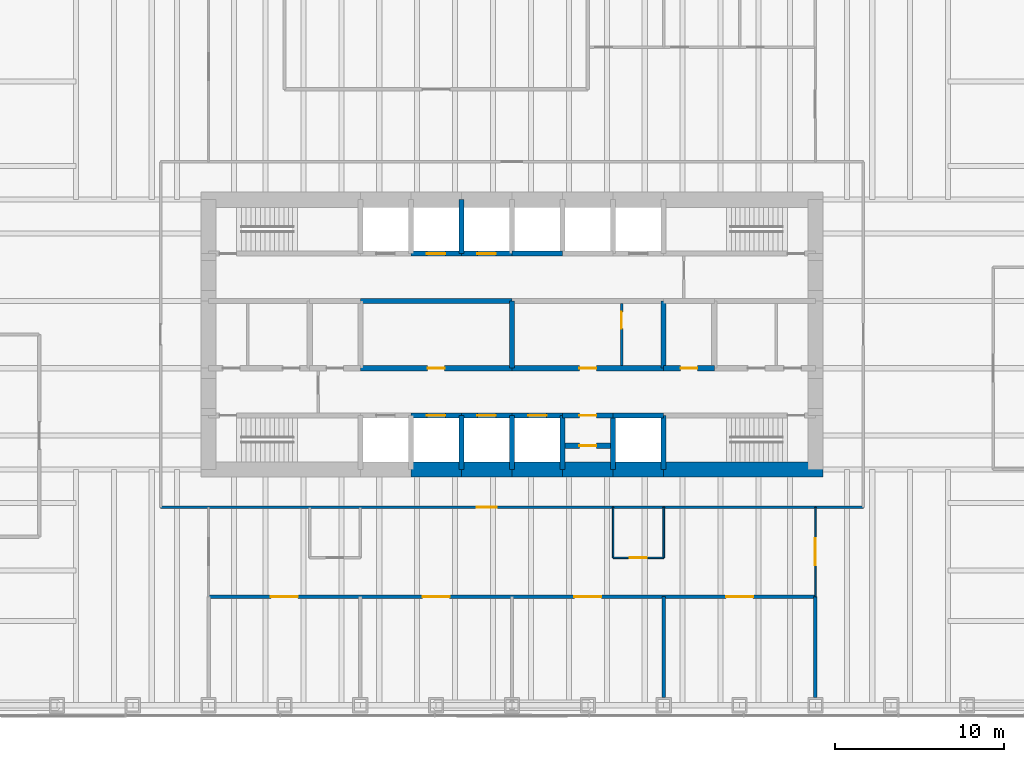
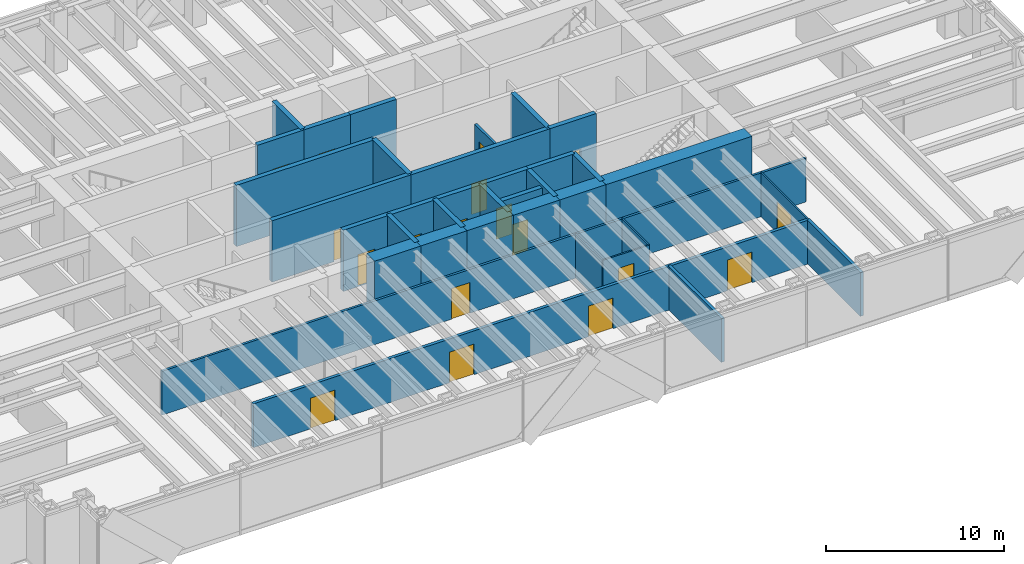
# One storey, part 12 of 15: 36 walls, 18 doors, 18 openings.
"""IFC4 building model written with IfcOpenShell, lengths in metres."""

from ifc_helpers import new_model, si_unit, direction, frame, frame_2d, origin, place, context, subcontext, project, spatial, rectangle, extrude, material, layer, layer_set, type_object, element, fill, save


model = new_model("IFC4")

# Units and contexts
model_context = context("Model", 3, precision=1e-05, world=origin(), true_north=direction((0.0, 1.0)))
body_context = subcontext(model_context, "Body", "Model", "MODEL_VIEW")
ifc_project = project(units=[si_unit("LENGTHUNIT", "METRE"), si_unit("AREAUNIT", "SQUARE_METRE"), si_unit("VOLUMEUNIT", "CUBIC_METRE"), si_unit("PLANEANGLEUNIT", "RADIAN"), si_unit("MASSUNIT", "GRAM", prefix="KILO")], contexts=[model_context])

# Site, building, storey
site_placement = place(None, origin())
site = spatial("IfcSite", under=ifc_project, at=site_placement, CompositionType="ELEMENT")
building_placement = place(site_placement, origin())
building = spatial("IfcBuilding", under=site, at=building_placement, Name="Rheinbord Bourse Tower", CompositionType="ELEMENT")
storey_placement = place(building_placement, frame((0.0, 0.0, 150.89990234375)))
storey = spatial("IfcBuildingStorey", under=building, at=storey_placement, Name="L33", CompositionType="ELEMENT", Elevation=150.89990234375)

# Wall, openings, doors
ifc_material_1 = material(Name="Acoustic gypsum board partition", Category="gypsum board")
ifc_layer_1 = layer(ifc_material_1, 0.199951171875)
ifc_layer_set_1 = layer_set([ifc_layer_1], Name="ACOUSTIC PARTITION 200")
wall_type_1 = type_object("IfcWallType", Name="ACOUSTIC PARTITION 200", PredefinedType="PARTITIONING", material=ifc_layer_set_1)
wall_1_placement = place(storey_placement, frame((18.0, 8.449951171875, 0.0), z_axis=(0.0, 0.0, 1.0), x_axis=(1.0, 0.0, 0.0)))
wall_1 = element("IfcWall", 1, at=wall_1_placement, inside=storey, type_object=wall_type_1, Name="Partition L33-01", PredefinedType="PARTITIONING", context=body_context, shape_type="SweptSolid", body=[
    extrude(rectangle(XDim=36.0, YDim=0.199951171875, at=frame_2d((18.0, 0.0))), origin(), (0.0, 0.0, 1.0), 3.0),
])
opening_1_placement = place(wall_1_placement, frame((3.699951171875, 0.0, 0.0)))
opening_1 = element("IfcOpeningElement", 2, at=opening_1_placement, cuts=wall_1, Name="Opening 33D01", PredefinedType="OPENING", context=body_context, shape_type="SweptSolid", body=[
    extrude(rectangle(XDim=1.60009765625, YDim=2.10009765625, at=frame_2d((0.800048828125, 1.050048828125))), frame((0.0, 0.10986328125, 0.0), z_axis=(0.0, -1.0, 0.0), x_axis=(1.0, 0.0, 0.0)), (0.0, 0.0, 1.0), 0.219970703125),
])
opening_2_placement = place(wall_1_placement, frame((12.699951171875, 0.0, 0.0)))
opening_2 = element("IfcOpeningElement", 3, at=opening_2_placement, cuts=wall_1, Name="Opening 33D02", PredefinedType="OPENING", context=body_context, shape_type="SweptSolid", body=[
    extrude(rectangle(XDim=1.60009765625, YDim=2.10009765625, at=frame_2d((0.800048828125, 1.050048828125))), frame((0.0, 0.10986328125, 0.0), z_axis=(0.0, -1.0, 0.0), x_axis=(1.0, 0.0, 0.0)), (0.0, 0.0, 1.0), 0.219970703125),
])
opening_3_placement = place(wall_1_placement, frame((21.699951171875, 0.0, 0.0)))
opening_3 = element("IfcOpeningElement", 4, at=opening_3_placement, cuts=wall_1, Name="Opening 33D03", PredefinedType="OPENING", context=body_context, shape_type="SweptSolid", body=[
    extrude(rectangle(XDim=1.60009765625, YDim=2.10009765625, at=frame_2d((0.800048828125, 1.050048828125))), frame((0.0, 0.10986328125, 0.0), z_axis=(0.0, -1.0, 0.0), x_axis=(1.0, 0.0, 0.0)), (0.0, 0.0, 1.0), 0.219970703125),
])
opening_4_placement = place(wall_1_placement, frame((30.699951171875, 0.0, 0.0)))
opening_4 = element("IfcOpeningElement", 5, at=opening_4_placement, cuts=wall_1, Name="Opening 33D04", PredefinedType="OPENING", context=body_context, shape_type="SweptSolid", body=[
    extrude(rectangle(XDim=1.60009765625, YDim=2.10009765625, at=frame_2d((0.800048828125, 1.050048828125))), frame((0.0, 0.10986328125, 0.0), z_axis=(0.0, -1.0, 0.0), x_axis=(1.0, 0.0, 0.0)), (0.0, 0.0, 1.0), 0.219970703125),
])
ifc_material_2 = material(Name="Timber door", Category="wood")
door_type_1 = type_object("IfcDoorType", Name="DOUBLE ROOM DOOR 1600", OperationType="DOUBLE_DOOR_DOUBLE_SWING", PredefinedType="DOOR", material=ifc_material_2)
door_1_placement = place(opening_1_placement, origin())
door_1 = element("IfcDoor", 6, at=door_1_placement, inside=storey, type_object=door_type_1, Name="Seminar room door L33", OperationType="SINGLE_SWING_LEFT", OverallHeight=2.10009765625, OverallWidth=1.60009765625, PredefinedType="DOOR", context=body_context, shape_type="SweptSolid", body=[
    extrude(rectangle(XDim=1.60009765625, YDim=2.10009765625, at=frame_2d((0.800048828125, 1.050048828125))), frame((0.0, 0.02490234375, 0.0), z_axis=(0.0, -1.0, 0.0), x_axis=(1.0, 0.0, 0.0)), (0.0, 0.0, 1.0), 0.050048828125),
])
fill(opening_1, door_1)
door_2_placement = place(opening_2_placement, origin())
door_2 = element("IfcDoor", 7, at=door_2_placement, inside=storey, type_object=door_type_1, Name="Seminar room door L33", OperationType="SINGLE_SWING_LEFT", OverallHeight=2.10009765625, OverallWidth=1.60009765625, PredefinedType="DOOR", context=body_context, shape_type="SweptSolid", body=[
    extrude(rectangle(XDim=1.60009765625, YDim=2.10009765625, at=frame_2d((0.800048828125, 1.050048828125))), frame((0.0, 0.02490234375, 0.0), z_axis=(0.0, -1.0, 0.0), x_axis=(1.0, 0.0, 0.0)), (0.0, 0.0, 1.0), 0.050048828125),
])
fill(opening_2, door_2)
door_3_placement = place(opening_3_placement, origin())
door_3 = element("IfcDoor", 8, at=door_3_placement, inside=storey, type_object=door_type_1, Name="Seminar room door L33", OperationType="SINGLE_SWING_LEFT", OverallHeight=2.10009765625, OverallWidth=1.60009765625, PredefinedType="DOOR", context=body_context, shape_type="SweptSolid", body=[
    extrude(rectangle(XDim=1.60009765625, YDim=2.10009765625, at=frame_2d((0.800048828125, 1.050048828125))), frame((0.0, 0.02490234375, 0.0), z_axis=(0.0, -1.0, 0.0), x_axis=(1.0, 0.0, 0.0)), (0.0, 0.0, 1.0), 0.050048828125),
])
fill(opening_3, door_3)
door_4_placement = place(opening_4_placement, origin())
door_4 = element("IfcDoor", 9, at=door_4_placement, inside=storey, type_object=door_type_1, Name="Seminar room door L33", OperationType="SINGLE_SWING_LEFT", OverallHeight=2.10009765625, OverallWidth=1.60009765625, PredefinedType="DOOR", context=body_context, shape_type="SweptSolid", body=[
    extrude(rectangle(XDim=1.60009765625, YDim=2.10009765625, at=frame_2d((0.800048828125, 1.050048828125))), frame((0.0, 0.02490234375, 0.0), z_axis=(0.0, -1.0, 0.0), x_axis=(1.0, 0.0, 0.0)), (0.0, 0.0, 1.0), 0.050048828125),
])
fill(opening_4, door_4)

# Walls
for number, where, z_axis, x_axis, name in (
    (10, (45.0, 2.449951171875, 0.0), (0.0, 0.0, 1.0), (0.0, 1.0, 0.0), "Partition L33-26"),
    (11, (54.0, 2.449951171875, 0.0), (0.0, 0.0, 1.0), (0.0, 1.0, 0.0), "Partition L33-30"),
):
    element("IfcWall", number, at=place(storey_placement, frame(where, z_axis=z_axis, x_axis=x_axis)), inside=storey, type_object=wall_type_1, Name=name, PredefinedType="PARTITIONING", context=body_context, shape_type="SweptSolid", body=[
        extrude(rectangle(XDim=6.0, YDim=0.199951171875, at=frame_2d((3.0, 0.0))), origin(), (0.0, 0.0, 1.0), 3.0),
    ])

# Wall, opening, door
ifc_material_3 = material(Name="Concrete C50/60", Category="concrete")
ifc_layer_2 = layer(ifc_material_3, 0.300048828125)
ifc_layer_set_2 = layer_set([ifc_layer_2], Name="CORE INNER WALL 300")
wall_type_2 = type_object("IfcWallType", Name="CORE INNER WALL 300", PredefinedType="SOLIDWALL", material=ifc_layer_set_2)
wall_2_placement = place(storey_placement, frame((30.0, 19.199951171875, 0.0), z_axis=(0.0, 0.0, 1.0), x_axis=(1.0, 0.0, 0.0)))
wall_2 = element("IfcWall", 12, at=wall_2_placement, inside=storey, type_object=wall_type_2, Name="Core wall A3 L33", PredefinedType="SOLIDWALL", context=body_context, shape_type="SweptSolid", body=[
    extrude(rectangle(XDim=3.0, YDim=0.300048828125, at=frame_2d((1.5, 0.0))), origin(), (0.0, 0.0, 1.0), 4.2001953125),
])
opening_5_placement = place(wall_2_placement, frame((0.949951171875, 0.0, 0.0)))
opening_5 = element("IfcOpeningElement", 13, at=opening_5_placement, cuts=wall_2, Name="Opening PB1", PredefinedType="OPENING", context=body_context, shape_type="SweptSolid", body=[
    extrude(rectangle(XDim=1.10009765625, YDim=2.199951171875, at=frame_2d((0.550048828125, 1.10009765625))), frame((0.0, 0.159912109375, 0.0), z_axis=(0.0, -1.0, 0.0), x_axis=(1.0, 0.0, 0.0)), (0.0, 0.0, 1.0), 0.320068359375),
])
ifc_material_4 = material(Name="Steel landing door", Category="steel")
door_type_2 = type_object("IfcDoorType", Name="LIFT LANDING DOOR 1100", OperationType="DOUBLE_DOOR_SLIDING", PredefinedType="USERDEFINED", material=ifc_material_4)
door_5_placement = place(opening_5_placement, origin())
door_5 = element("IfcDoor", 14, at=door_5_placement, inside=storey, type_object=door_type_2, Name="Lift landing door PB1 L33", ObjectType="LIFT LANDING DOOR", OperationType="DOUBLE_DOOR_SLIDING", OverallHeight=2.199951171875, OverallWidth=1.10009765625, PredefinedType="USERDEFINED", context=body_context, shape_type="SweptSolid", body=[
    extrude(rectangle(XDim=1.10009765625, YDim=2.199951171875, at=frame_2d((0.550048828125, 1.10009765625))), frame((0.0, 0.02490234375, 0.0), z_axis=(0.0, -1.0, 0.0), x_axis=(1.0, 0.0, 0.0)), (0.0, 0.0, 1.0), 0.050048828125),
])
fill(opening_5, door_5)

wall_3_placement = place(storey_placement, frame((33.0, 19.199951171875, 0.0), z_axis=(0.0, 0.0, 1.0), x_axis=(1.0, 0.0, 0.0)))
wall_3 = element("IfcWall", 15, at=wall_3_placement, inside=storey, type_object=wall_type_2, Name="Core wall A4 L33", PredefinedType="SOLIDWALL", context=body_context, shape_type="SweptSolid", body=[
    extrude(rectangle(XDim=3.0, YDim=0.300048828125, at=frame_2d((1.5, 0.0))), origin(), (0.0, 0.0, 1.0), 4.2001953125),
])
opening_6_placement = place(wall_3_placement, frame((0.949951171875, 0.0, 0.0)))
opening_6 = element("IfcOpeningElement", 16, at=opening_6_placement, cuts=wall_3, Name="Opening PB2", PredefinedType="OPENING", context=body_context, shape_type="SweptSolid", body=[
    extrude(rectangle(XDim=1.10009765625, YDim=2.199951171875, at=frame_2d((0.550048828125, 1.10009765625))), frame((0.0, 0.159912109375, 0.0), z_axis=(0.0, -1.0, 0.0), x_axis=(1.0, 0.0, 0.0)), (0.0, 0.0, 1.0), 0.320068359375),
])
door_6_placement = place(opening_6_placement, origin())
door_6 = element("IfcDoor", 17, at=door_6_placement, inside=storey, type_object=door_type_2, Name="Lift landing door PB2 L33", ObjectType="LIFT LANDING DOOR", OperationType="DOUBLE_DOOR_SLIDING", OverallHeight=2.199951171875, OverallWidth=1.10009765625, PredefinedType="USERDEFINED", context=body_context, shape_type="SweptSolid", body=[
    extrude(rectangle(XDim=1.10009765625, YDim=2.199951171875, at=frame_2d((0.550048828125, 1.10009765625))), frame((0.0, 0.02490234375, 0.0), z_axis=(0.0, -1.0, 0.0), x_axis=(1.0, 0.0, 0.0)), (0.0, 0.0, 1.0), 0.050048828125),
])
fill(opening_6, door_6)

wall_4_placement = place(storey_placement, frame((36.0, 19.199951171875, 0.0), z_axis=(0.0, 0.0, 1.0), x_axis=(1.0, 0.0, 0.0)))
wall_4 = element("IfcWall", 18, at=wall_4_placement, inside=storey, type_object=wall_type_2, Name="Core wall A5 L33", PredefinedType="SOLIDWALL", context=body_context, shape_type="SweptSolid", body=[
    extrude(rectangle(XDim=3.0, YDim=0.300048828125, at=frame_2d((1.5, 0.0))), origin(), (0.0, 0.0, 1.0), 4.2001953125),
])
opening_7_placement = place(wall_4_placement, frame((0.949951171875, 0.0, 0.0)))
opening_7 = element("IfcOpeningElement", 19, at=opening_7_placement, cuts=wall_4, Name="Opening PB3", PredefinedType="OPENING", context=body_context, shape_type="SweptSolid", body=[
    extrude(rectangle(XDim=1.10009765625, YDim=2.199951171875, at=frame_2d((0.550048828125, 1.10009765625))), frame((0.0, 0.159912109375, 0.0), z_axis=(0.0, -1.0, 0.0), x_axis=(1.0, 0.0, 0.0)), (0.0, 0.0, 1.0), 0.320068359375),
])
door_7_placement = place(opening_7_placement, origin())
door_7 = element("IfcDoor", 20, at=door_7_placement, inside=storey, type_object=door_type_2, Name="Lift landing door PB3 L33", ObjectType="LIFT LANDING DOOR", OperationType="DOUBLE_DOOR_SLIDING", OverallHeight=2.199951171875, OverallWidth=1.10009765625, PredefinedType="USERDEFINED", context=body_context, shape_type="SweptSolid", body=[
    extrude(rectangle(XDim=1.10009765625, YDim=2.199951171875, at=frame_2d((0.550048828125, 1.10009765625))), frame((0.0, 0.02490234375, 0.0), z_axis=(0.0, -1.0, 0.0), x_axis=(1.0, 0.0, 0.0)), (0.0, 0.0, 1.0), 0.050048828125),
])
fill(opening_7, door_7)

wall_5_placement = place(storey_placement, frame((39.0, 19.199951171875, 0.0), z_axis=(0.0, 0.0, 1.0), x_axis=(1.0, 0.0, 0.0)))
wall_5 = element("IfcWall", 21, at=wall_5_placement, inside=storey, type_object=wall_type_2, Name="Core wall A6 L33", PredefinedType="SOLIDWALL", context=body_context, shape_type="SweptSolid", body=[
    extrude(rectangle(XDim=3.0, YDim=0.300048828125, at=frame_2d((1.5, 0.0))), origin(), (0.0, 0.0, 1.0), 4.2001953125),
])
opening_8_placement = place(wall_5_placement, frame((1.0, 0.0, 0.0)))
opening_8 = element("IfcOpeningElement", 22, at=opening_8_placement, cuts=wall_5, Name="Opening 33R8", PredefinedType="OPENING", context=body_context, shape_type="SweptSolid", body=[
    extrude(rectangle(XDim=1.0, YDim=2.10009765625, at=frame_2d((0.5, 1.050048828125))), frame((0.0, 0.159912109375, 0.0), z_axis=(0.0, -1.0, 0.0), x_axis=(1.0, 0.0, 0.0)), (0.0, 0.0, 1.0), 0.320068359375),
])
ifc_material_5 = material(Name="Steel door", Category="steel")
door_type_3 = type_object("IfcDoorType", Name="DOOR 1000 EI30", OperationType="SINGLE_SWING_LEFT", PredefinedType="DOOR", material=ifc_material_5)
door_8_placement = place(opening_8_placement, origin())
door_8 = element("IfcDoor", 23, at=door_8_placement, inside=storey, type_object=door_type_3, Name="Cleaner's store door L33", OperationType="SINGLE_SWING_LEFT", OverallHeight=2.10009765625, OverallWidth=1.0, PredefinedType="DOOR", context=body_context, shape_type="SweptSolid", body=[
    extrude(rectangle(XDim=1.0, YDim=2.10009765625, at=frame_2d((0.5, 1.050048828125))), frame((0.0, 0.02490234375, 0.0), z_axis=(0.0, -1.0, 0.0), x_axis=(1.0, 0.0, 0.0)), (0.0, 0.0, 1.0), 0.050048828125),
])
fill(opening_8, door_8)

# Wall
wall_6_placement = place(storey_placement, frame((42.0, 19.199951171875, 0.0), z_axis=(0.0, 0.0, 1.0), x_axis=(1.0, 0.0, 0.0)))
element("IfcWall", 24, at=wall_6_placement, inside=storey, type_object=wall_type_2, Name="Core wall A7 L33", PredefinedType="SOLIDWALL", context=body_context, shape_type="SweptSolid", body=[
    extrude(rectangle(XDim=3.0, YDim=0.300048828125, at=frame_2d((1.5, 0.0))), origin(), (0.0, 0.0, 1.0), 4.2001953125),
])

# Wall, opening, door
wall_7_placement = place(storey_placement, frame((30.0, 28.800048828125, 0.0), z_axis=(0.0, 0.0, 1.0), x_axis=(1.0, 0.0, 0.0)))
wall_7 = element("IfcWall", 25, at=wall_7_placement, inside=storey, type_object=wall_type_2, Name="Core wall B3 L33", PredefinedType="SOLIDWALL", context=body_context, shape_type="SweptSolid", body=[
    extrude(rectangle(XDim=3.0, YDim=0.300048828125, at=frame_2d((1.5, 0.0))), origin(), (0.0, 0.0, 1.0), 4.2001953125),
])
opening_9_placement = place(wall_7_placement, frame((0.949951171875, 0.0, 0.0)))
opening_9 = element("IfcOpeningElement", 26, at=opening_9_placement, cuts=wall_7, Name="Opening PB4", PredefinedType="OPENING", context=body_context, shape_type="SweptSolid", body=[
    extrude(rectangle(XDim=1.10009765625, YDim=2.199951171875, at=frame_2d((0.550048828125, 1.10009765625))), frame((0.0, 0.159912109375, 0.0), z_axis=(0.0, -1.0, 0.0), x_axis=(1.0, 0.0, 0.0)), (0.0, 0.0, 1.0), 0.320068359375),
])
door_9_placement = place(opening_9_placement, origin())
door_9 = element("IfcDoor", 27, at=door_9_placement, inside=storey, type_object=door_type_2, Name="Lift landing door PB4 L33", ObjectType="LIFT LANDING DOOR", OperationType="DOUBLE_DOOR_SLIDING", OverallHeight=2.199951171875, OverallWidth=1.10009765625, PredefinedType="USERDEFINED", context=body_context, shape_type="SweptSolid", body=[
    extrude(rectangle(XDim=1.10009765625, YDim=2.199951171875, at=frame_2d((0.550048828125, 1.10009765625))), frame((0.0, 0.02490234375, 0.0), z_axis=(0.0, -1.0, 0.0), x_axis=(1.0, 0.0, 0.0)), (0.0, 0.0, 1.0), 0.050048828125),
])
fill(opening_9, door_9)

wall_8_placement = place(storey_placement, frame((33.0, 28.800048828125, 0.0), z_axis=(0.0, 0.0, 1.0), x_axis=(1.0, 0.0, 0.0)))
wall_8 = element("IfcWall", 28, at=wall_8_placement, inside=storey, type_object=wall_type_2, Name="Core wall B4 L33", PredefinedType="SOLIDWALL", context=body_context, shape_type="SweptSolid", body=[
    extrude(rectangle(XDim=3.0, YDim=0.300048828125, at=frame_2d((1.5, 0.0))), origin(), (0.0, 0.0, 1.0), 4.2001953125),
])
opening_10_placement = place(wall_8_placement, frame((0.949951171875, 0.0, 0.0)))
opening_10 = element("IfcOpeningElement", 29, at=opening_10_placement, cuts=wall_8, Name="Opening PB5", PredefinedType="OPENING", context=body_context, shape_type="SweptSolid", body=[
    extrude(rectangle(XDim=1.10009765625, YDim=2.199951171875, at=frame_2d((0.550048828125, 1.10009765625))), frame((0.0, 0.159912109375, 0.0), z_axis=(0.0, -1.0, 0.0), x_axis=(1.0, 0.0, 0.0)), (0.0, 0.0, 1.0), 0.320068359375),
])
door_10_placement = place(opening_10_placement, origin())
door_10 = element("IfcDoor", 30, at=door_10_placement, inside=storey, type_object=door_type_2, Name="Lift landing door PB5 L33", ObjectType="LIFT LANDING DOOR", OperationType="DOUBLE_DOOR_SLIDING", OverallHeight=2.199951171875, OverallWidth=1.10009765625, PredefinedType="USERDEFINED", context=body_context, shape_type="SweptSolid", body=[
    extrude(rectangle(XDim=1.10009765625, YDim=2.199951171875, at=frame_2d((0.550048828125, 1.10009765625))), frame((0.0, 0.02490234375, 0.0), z_axis=(0.0, -1.0, 0.0), x_axis=(1.0, 0.0, 0.0)), (0.0, 0.0, 1.0), 0.050048828125),
])
fill(opening_10, door_10)

# Wall
wall_9_placement = place(storey_placement, frame((36.0, 28.800048828125, 0.0), z_axis=(0.0, 0.0, 1.0), x_axis=(1.0, 0.0, 0.0)))
element("IfcWall", 31, at=wall_9_placement, inside=storey, type_object=wall_type_2, Name="Core wall B5 L33", PredefinedType="SOLIDWALL", context=body_context, shape_type="SweptSolid", body=[
    extrude(rectangle(XDim=3.0, YDim=0.300048828125, at=frame_2d((1.5, 0.0))), origin(), (0.0, 0.0, 1.0), 4.2001953125),
])

# Wall, opening, door
wall_10_placement = place(storey_placement, frame((27.0, 22.0, 0.0), z_axis=(0.0, 0.0, 1.0), x_axis=(1.0, 0.0, 0.0)))
wall_10 = element("IfcWall", 32, at=wall_10_placement, inside=storey, type_object=wall_type_2, Name="Core wall C3 L33", PredefinedType="SOLIDWALL", context=body_context, shape_type="SweptSolid", body=[
    extrude(rectangle(XDim=9.0, YDim=0.300048828125, at=frame_2d((4.5, 0.0))), origin(), (0.0, 0.0, 1.0), 4.2001953125),
])
opening_11_placement = place(wall_10_placement, frame((4.0, 0.0, 0.0)))
opening_11 = element("IfcOpeningElement", 33, at=opening_11_placement, cuts=wall_10, Name="Opening 33R3", PredefinedType="OPENING", context=body_context, shape_type="SweptSolid", body=[
    extrude(rectangle(XDim=1.0, YDim=2.10009765625, at=frame_2d((0.5, 1.050048828125))), frame((0.0, 0.159912109375, 0.0), z_axis=(0.0, -1.0, 0.0), x_axis=(1.0, 0.0, 0.0)), (0.0, 0.0, 1.0), 0.320068359375),
])
door_11_placement = place(opening_11_placement, origin())
door_11 = element("IfcDoor", 34, at=door_11_placement, inside=storey, type_object=door_type_3, Name="Riser door L33", OperationType="SINGLE_SWING_LEFT", OverallHeight=2.10009765625, OverallWidth=1.0, PredefinedType="DOOR", context=body_context, shape_type="SweptSolid", body=[
    extrude(rectangle(XDim=1.0, YDim=2.10009765625, at=frame_2d((0.5, 1.050048828125))), frame((0.0, 0.02490234375, 0.0), z_axis=(0.0, -1.0, 0.0), x_axis=(1.0, 0.0, 0.0)), (0.0, 0.0, 1.0), 0.050048828125),
])
fill(opening_11, door_11)

wall_11_placement = place(storey_placement, frame((36.0, 22.0, 0.0), z_axis=(0.0, 0.0, 1.0), x_axis=(1.0, 0.0, 0.0)))
wall_11 = element("IfcWall", 35, at=wall_11_placement, inside=storey, type_object=wall_type_2, Name="Core wall C4 L33", PredefinedType="SOLIDWALL", context=body_context, shape_type="SweptSolid", body=[
    extrude(rectangle(XDim=9.0, YDim=0.300048828125, at=frame_2d((4.5, 0.0))), origin(), (0.0, 0.0, 1.0), 4.2001953125),
])
opening_12_placement = place(wall_11_placement, frame((4.0, 0.0, 0.0)))
opening_12 = element("IfcOpeningElement", 36, at=opening_12_placement, cuts=wall_11, Name="Opening 33R4", PredefinedType="OPENING", context=body_context, shape_type="SweptSolid", body=[
    extrude(rectangle(XDim=1.0, YDim=2.10009765625, at=frame_2d((0.5, 1.050048828125))), frame((0.0, 0.159912109375, 0.0), z_axis=(0.0, -1.0, 0.0), x_axis=(1.0, 0.0, 0.0)), (0.0, 0.0, 1.0), 0.320068359375),
])
door_12_placement = place(opening_12_placement, origin())
door_12 = element("IfcDoor", 37, at=door_12_placement, inside=storey, type_object=door_type_3, Name="Print room door L33", OperationType="SINGLE_SWING_LEFT", OverallHeight=2.10009765625, OverallWidth=1.0, PredefinedType="DOOR", context=body_context, shape_type="SweptSolid", body=[
    extrude(rectangle(XDim=1.0, YDim=2.10009765625, at=frame_2d((0.5, 1.050048828125))), frame((0.0, 0.02490234375, 0.0), z_axis=(0.0, -1.0, 0.0), x_axis=(1.0, 0.0, 0.0)), (0.0, 0.0, 1.0), 0.050048828125),
])
fill(opening_12, door_12)

wall_12_placement = place(storey_placement, frame((45.0, 22.0, 0.0), z_axis=(0.0, 0.0, 1.0), x_axis=(1.0, 0.0, 0.0)))
wall_12 = element("IfcWall", 38, at=wall_12_placement, inside=storey, type_object=wall_type_2, Name="Core wall C5 L33", PredefinedType="SOLIDWALL", context=body_context, shape_type="SweptSolid", body=[
    extrude(rectangle(XDim=3.0, YDim=0.300048828125, at=frame_2d((1.5, 0.0))), origin(), (0.0, 0.0, 1.0), 4.2001953125),
])
opening_13_placement = place(wall_12_placement, frame((1.0, 0.0, 0.0)))
opening_13 = element("IfcOpeningElement", 39, at=opening_13_placement, cuts=wall_12, Name="Opening 33R5", PredefinedType="OPENING", context=body_context, shape_type="SweptSolid", body=[
    extrude(rectangle(XDim=1.0, YDim=2.10009765625, at=frame_2d((0.5, 1.050048828125))), frame((0.0, 0.159912109375, 0.0), z_axis=(0.0, -1.0, 0.0), x_axis=(1.0, 0.0, 0.0)), (0.0, 0.0, 1.0), 0.320068359375),
])
ifc_material_6 = material(Name="Timber door", Category="wood")
door_type_4 = type_object("IfcDoorType", Name="DOOR 1000 WC", OperationType="SINGLE_SWING_LEFT", PredefinedType="DOOR", material=ifc_material_6)
door_13_placement = place(opening_13_placement, origin())
door_13 = element("IfcDoor", 40, at=door_13_placement, inside=storey, type_object=door_type_4, Name="Accessible WC door L33", OperationType="SINGLE_SWING_LEFT", OverallHeight=2.10009765625, OverallWidth=1.0, PredefinedType="DOOR", context=body_context, shape_type="SweptSolid", body=[
    extrude(rectangle(XDim=1.0, YDim=2.10009765625, at=frame_2d((0.5, 1.050048828125))), frame((0.0, 0.02490234375, 0.0), z_axis=(0.0, -1.0, 0.0), x_axis=(1.0, 0.0, 0.0)), (0.0, 0.0, 1.0), 0.050048828125),
])
fill(opening_13, door_13)

# Walls
wall_13_placement = place(storey_placement, frame((27.0, 26.0, 0.0), z_axis=(0.0, 0.0, 1.0), x_axis=(1.0, 0.0, 0.0)))
element("IfcWall", 41, at=wall_13_placement, inside=storey, type_object=wall_type_2, Name="Core wall D3 L33", PredefinedType="SOLIDWALL", context=body_context, shape_type="SweptSolid", body=[
    extrude(rectangle(XDim=9.0, YDim=0.300048828125, at=frame_2d((4.5, 0.0))), origin(), (0.0, 0.0, 1.0), 4.2001953125),
])
for number, where, z_axis, x_axis, name in (
    (42, (33.0, 16.0, 0.0), (0.0, 0.0, 1.0), (0.0, 1.0, 0.0), "Core wall SX33 L33"),
    (43, (33.0, 28.800048828125, 0.0), (0.0, 0.0, 1.0), (0.0, 1.0, 0.0), "Core wall NX33 L33"),
    (44, (36.0, 16.0, 0.0), (0.0, 0.0, 1.0), (0.0, 1.0, 0.0), "Core wall SX36 L33"),
    (45, (39.0, 16.0, 0.0), (0.0, 0.0, 1.0), (0.0, 1.0, 0.0), "Core wall SX39 L33"),
    (46, (42.0, 16.0, 0.0), (0.0, 0.0, 1.0), (0.0, 1.0, 0.0), "Core wall SX42 L33"),
    (47, (45.0, 16.0, 0.0), (0.0, 0.0, 1.0), (0.0, 1.0, 0.0), "Core wall SX45 L33"),
):
    element("IfcWall", number, at=place(storey_placement, frame(where, z_axis=z_axis, x_axis=x_axis)), inside=storey, type_object=wall_type_2, Name=name, PredefinedType="SOLIDWALL", context=body_context, shape_type="SweptSolid", body=[
        extrude(rectangle(XDim=3.199951171875, YDim=0.300048828125, at=frame_2d((1.60009765625, 0.0))), origin(), (0.0, 0.0, 1.0), 4.2001953125),
    ])
for number, where, z_axis, x_axis, name in (
    (48, (36.0, 22.0, 0.0), (0.0, 0.0, 1.0), (0.0, 1.0, 0.0), "Core wall MX36 L33"),
    (49, (45.0, 22.0, 0.0), (0.0, 0.0, 1.0), (0.0, 1.0, 0.0), "Core wall MX45 L33"),
):
    element("IfcWall", number, at=place(storey_placement, frame(where, z_axis=z_axis, x_axis=x_axis)), inside=storey, type_object=wall_type_2, Name=name, PredefinedType="SOLIDWALL", context=body_context, shape_type="SweptSolid", body=[
        extrude(rectangle(XDim=4.0, YDim=0.300048828125, at=frame_2d((2.0, 0.0))), origin(), (0.0, 0.0, 1.0), 4.2001953125),
    ])

# Wall, opening, door
wall_14_placement = place(storey_placement, frame((39.14990234375, 17.39990234375, 0.0), z_axis=(0.0, 0.0, 1.0), x_axis=(1.0, 0.0, 0.0)))
wall_14 = element("IfcWall", 50, at=wall_14_placement, inside=storey, type_object=wall_type_2, Name="Core riser wall L33-6", PredefinedType="SOLIDWALL", context=body_context, shape_type="SweptSolid", body=[
    extrude(rectangle(XDim=2.7001953125, YDim=0.300048828125, at=frame_2d((1.35009765625, 0.0))), origin(), (0.0, 0.0, 1.0), 4.0400390625),
])
opening_14_placement = place(wall_14_placement, frame((0.85009765625, 0.0, 0.0)))
opening_14 = element("IfcOpeningElement", 51, at=opening_14_placement, cuts=wall_14, Name="Opening 33R12", PredefinedType="OPENING", context=body_context, shape_type="SweptSolid", body=[
    extrude(rectangle(XDim=1.0, YDim=2.10009765625, at=frame_2d((0.5, 1.050048828125))), frame((0.0, 0.159912109375, 0.0), z_axis=(0.0, -1.0, 0.0), x_axis=(1.0, 0.0, 0.0)), (0.0, 0.0, 1.0), 0.320068359375),
])
door_14_placement = place(opening_14_placement, origin())
door_14 = element("IfcDoor", 52, at=door_14_placement, inside=storey, type_object=door_type_3, Name="Comms riser door L33", OperationType="SINGLE_SWING_LEFT", OverallHeight=2.10009765625, OverallWidth=1.0, PredefinedType="DOOR", context=body_context, shape_type="SweptSolid", body=[
    extrude(rectangle(XDim=1.0, YDim=2.10009765625, at=frame_2d((0.5, 1.050048828125))), frame((0.0, 0.02490234375, 0.0), z_axis=(0.0, -1.0, 0.0), x_axis=(1.0, 0.0, 0.0)), (0.0, 0.0, 1.0), 0.050048828125),
])
fill(opening_14, door_14)

ifc_material_7 = material(Name="Gypsum board fire partition", Category="gypsum board")
ifc_layer_3 = layer(ifc_material_7, 0.14990234375)
ifc_layer_set_3 = layer_set([ifc_layer_3], Name="CORE PARTITION 150 EI30")
wall_type_3 = type_object("IfcWallType", Name="CORE PARTITION 150 EI30", PredefinedType="PARTITIONING", material=ifc_layer_set_3)
wall_15_placement = place(storey_placement, frame((42.5, 22.14990234375, 0.0), z_axis=(0.0, 0.0, 1.0), x_axis=(0.0, 1.0, 0.0)))
wall_15 = element("IfcWall", 53, at=wall_15_placement, inside=storey, type_object=wall_type_3, Name="Core partition L33-1", PredefinedType="PARTITIONING", context=body_context, shape_type="SweptSolid", body=[
    extrude(rectangle(XDim=3.7001953125, YDim=0.14990234375, at=frame_2d((1.85009765625, 0.0))), origin(), (0.0, 0.0, 1.0), 3.0),
])
opening_15_placement = place(wall_15_placement, frame((2.199951171875, 0.0, 0.0)))
opening_15 = element("IfcOpeningElement", 54, at=opening_15_placement, cuts=wall_15, Name="Opening 33R7", PredefinedType="OPENING", context=body_context, shape_type="SweptSolid", body=[
    extrude(rectangle(XDim=1.0, YDim=2.10009765625, at=frame_2d((0.5, 1.050048828125))), frame((0.0, 0.0849609375, 0.0), z_axis=(0.0, -1.0, 0.0), x_axis=(1.0, 0.0, 0.0)), (0.0, 0.0, 1.0), 0.169921875),
])
door_15_placement = place(opening_15_placement, origin())
door_15 = element("IfcDoor", 55, at=door_15_placement, inside=storey, type_object=door_type_3, Name="Paper store door L33", OperationType="SINGLE_SWING_RIGHT", OverallHeight=2.10009765625, OverallWidth=1.0, PredefinedType="DOOR", context=body_context, shape_type="SweptSolid", body=[
    extrude(rectangle(XDim=1.0, YDim=2.10009765625, at=frame_2d((0.5, 1.050048828125))), frame((0.0, 0.02490234375, 0.0), z_axis=(0.0, -1.0, 0.0), x_axis=(1.0, 0.0, 0.0)), (0.0, 0.0, 1.0), 0.050048828125),
])
fill(opening_15, door_15)

# Walls
ifc_material_8 = material(Name="Concrete C50/60", Category="concrete")
ifc_layer_4 = layer(ifc_material_8, 0.89990234375)
ifc_layer_set_4 = layer_set([ifc_layer_4], Name="CORE WALL 900")
wall_type_4 = type_object("IfcWallType", Name="CORE WALL 900", PredefinedType="SHEAR", material=ifc_layer_set_4)
for number, where, z_axis, x_axis, name in (
    (56, (30.0, 16.0, 0.0), (0.0, 0.0, 1.0), (1.0, 0.0, 0.0), "Core wall S3 L33"),
    (57, (33.0, 16.0, 0.0), (0.0, 0.0, 1.0), (1.0, 0.0, 0.0), "Core wall S4 L33"),
    (58, (36.0, 16.0, 0.0), (0.0, 0.0, 1.0), (1.0, 0.0, 0.0), "Core wall S5 L33"),
    (59, (39.0, 16.0, 0.0), (0.0, 0.0, 1.0), (1.0, 0.0, 0.0), "Core wall S6 L33"),
    (60, (42.0, 16.0, 0.0), (0.0, 0.0, 1.0), (1.0, 0.0, 0.0), "Core wall S7 L33"),
):
    element("IfcWall", number, at=place(storey_placement, frame(where, z_axis=z_axis, x_axis=x_axis)), inside=storey, type_object=wall_type_4, Name=name, PredefinedType="SHEAR", context=body_context, shape_type="SweptSolid", body=[
        extrude(rectangle(XDim=3.0, YDim=0.89990234375, at=frame_2d((1.5, 0.0))), origin(), (0.0, 0.0, 1.0), 4.2001953125),
    ])
wall_16_placement = place(storey_placement, frame((45.0, 16.0, 0.0), z_axis=(0.0, 0.0, 1.0), x_axis=(1.0, 0.0, 0.0)))
element("IfcWall", 61, at=wall_16_placement, inside=storey, type_object=wall_type_4, Name="Core wall S8 L33", PredefinedType="SHEAR", context=body_context, shape_type="SweptSolid", body=[
    extrude(rectangle(XDim=9.449951171875, YDim=0.89990234375, at=frame_2d((4.72509765625, 0.0))), origin(), (0.0, 0.0, 1.0), 4.2001953125),
])

# Wall, opening, door
ifc_material_9 = material(Name="Gypsum board corridor partition", Category="gypsum board")
ifc_layer_5 = layer(ifc_material_9, 0.14990234375)
ifc_layer_set_5 = layer_set([ifc_layer_5], Name="CORRIDOR PARTITION 150 EI30")
wall_type_5 = type_object("IfcWallType", Name="CORRIDOR PARTITION 150 EI30", PredefinedType="PARTITIONING", material=ifc_layer_set_5)
wall_17_placement = place(storey_placement, frame((15.14990234375, 13.75, 0.0), z_axis=(0.0, 0.0, 1.0), x_axis=(1.0, 0.0, 0.0)))
wall_17 = element("IfcWall", 62, at=wall_17_placement, inside=storey, type_object=wall_type_5, Name="Partition L33-05", PredefinedType="PARTITIONING", context=body_context, shape_type="SweptSolid", body=[
    extrude(rectangle(XDim=41.7001953125, YDim=0.14990234375, at=frame_2d((20.85009765625, 0.0))), origin(), (0.0, 0.0, 1.0), 3.0),
])
opening_16_placement = place(wall_17_placement, frame((18.75, 0.0, 0.0)))
opening_16 = element("IfcOpeningElement", 63, at=opening_16_placement, cuts=wall_17, Name="Opening 33D20", PredefinedType="OPENING", context=body_context, shape_type="SweptSolid", body=[
    extrude(rectangle(XDim=1.199951171875, YDim=2.10009765625, at=frame_2d((0.60009765625, 1.050048828125))), frame((0.0, 0.0849609375, 0.0), z_axis=(0.0, -1.0, 0.0), x_axis=(1.0, 0.0, 0.0)), (0.0, 0.0, 1.0), 0.169921875),
])
ifc_material_10 = material(Name="Timber fire door", Category="wood")
door_type_5 = type_object("IfcDoorType", Name="SUITE ENTRANCE DOOR 1200 EI30", OperationType="SINGLE_SWING_LEFT", PredefinedType="DOOR", material=ifc_material_10)
door_16_placement = place(opening_16_placement, origin())
door_16 = element("IfcDoor", 64, at=door_16_placement, inside=storey, type_object=door_type_5, Name="Suite entrance 3 door L33", OperationType="SINGLE_SWING_LEFT", OverallHeight=2.10009765625, OverallWidth=1.199951171875, PredefinedType="DOOR", context=body_context, shape_type="SweptSolid", body=[
    extrude(rectangle(XDim=1.199951171875, YDim=2.10009765625, at=frame_2d((0.60009765625, 1.050048828125))), frame((0.0, 0.02490234375, 0.0), z_axis=(0.0, -1.0, 0.0), x_axis=(1.0, 0.0, 0.0)), (0.0, 0.0, 1.0), 0.050048828125),
])
fill(opening_16, door_16)

ifc_material_11 = material(Name="Toughened laminated glass partition", Category="glass")
ifc_layer_6 = layer(ifc_material_11, 0.10009765625)
ifc_layer_set_6 = layer_set([ifc_layer_6], Name="GLAZED PARTITION 100")
wall_type_6 = type_object("IfcWallType", Name="GLAZED PARTITION 100", PredefinedType="PARTITIONING", material=ifc_layer_set_6)
wall_18_placement = place(storey_placement, frame((42.0, 10.75, 0.0), z_axis=(0.0, 0.0, 1.0), x_axis=(1.0, 0.0, 0.0)))
wall_18 = element("IfcWall", 65, at=wall_18_placement, inside=storey, type_object=wall_type_6, Name="Partition L33-03", PredefinedType="PARTITIONING", context=body_context, shape_type="SweptSolid", body=[
    extrude(rectangle(XDim=3.0, YDim=0.10009765625, at=frame_2d((1.5, 0.0))), origin(), (0.0, 0.0, 1.0), 3.0),
])
opening_17_placement = place(wall_18_placement, frame((1.0, 0.0, 0.0)))
opening_17 = element("IfcOpeningElement", 66, at=opening_17_placement, cuts=wall_18, Name="Opening 33D06", PredefinedType="OPENING", context=body_context, shape_type="SweptSolid", body=[
    extrude(rectangle(XDim=1.0, YDim=2.10009765625, at=frame_2d((0.5, 1.050048828125))), frame((0.0, 0.06005859375, 0.0), z_axis=(0.0, -1.0, 0.0), x_axis=(1.0, 0.0, 0.0)), (0.0, 0.0, 1.0), 0.1201171875),
])
ifc_material_12 = material(Name="Timber door", Category="wood")
door_type_6 = type_object("IfcDoorType", Name="ROOM DOOR 1000", OperationType="SINGLE_SWING_LEFT", PredefinedType="DOOR", material=ifc_material_12)
door_17_placement = place(opening_17_placement, origin())
door_17 = element("IfcDoor", 67, at=door_17_placement, inside=storey, type_object=door_type_6, Name="Quiet room door L33", OperationType="SINGLE_SWING_LEFT", OverallHeight=2.10009765625, OverallWidth=1.0, PredefinedType="DOOR", context=body_context, shape_type="SweptSolid", body=[
    extrude(rectangle(XDim=1.0, YDim=2.10009765625, at=frame_2d((0.5, 1.050048828125))), frame((0.0, 0.02490234375, 0.0), z_axis=(0.0, -1.0, 0.0), x_axis=(1.0, 0.0, 0.0)), (0.0, 0.0, 1.0), 0.050048828125),
])
fill(opening_17, door_17)

# Walls
for number, where, z_axis, x_axis, name in (
    (68, (42.0, 10.75, 0.0), (0.0, 0.0, 1.0), (0.0, 1.0, 0.0), "Partition L33-25"),
    (69, (45.0, 10.75, 0.0), (0.0, 0.0, 1.0), (0.0, 1.0, 0.0), "Partition L33-27"),
):
    element("IfcWall", number, at=place(storey_placement, frame(where, z_axis=z_axis, x_axis=x_axis)), inside=storey, type_object=wall_type_6, Name=name, PredefinedType="PARTITIONING", context=body_context, shape_type="SweptSolid", body=[
        extrude(rectangle(XDim=3.0, YDim=0.10009765625, at=frame_2d((1.5, 0.0))), origin(), (0.0, 0.0, 1.0), 3.0),
    ])

# Wall, opening, door
wall_19_placement = place(storey_placement, frame((54.0, 8.449951171875, 0.0), z_axis=(0.0, 0.0, 1.0), x_axis=(0.0, 1.0, 0.0)))
wall_19 = element("IfcWall", 70, at=wall_19_placement, inside=storey, type_object=wall_type_6, Name="Partition L33-31", PredefinedType="PARTITIONING", context=body_context, shape_type="SweptSolid", body=[
    extrude(rectangle(XDim=5.300048828125, YDim=0.10009765625, at=frame_2d((2.64990234375, 0.0))), origin(), (0.0, 0.0, 1.0), 3.0),
])
opening_18_placement = place(wall_19_placement, frame((1.85009765625, 0.0, 0.0)))
opening_18 = element("IfcOpeningElement", 71, at=opening_18_placement, cuts=wall_19, Name="Opening 33D16", PredefinedType="OPENING", context=body_context, shape_type="SweptSolid", body=[
    extrude(rectangle(XDim=1.60009765625, YDim=2.10009765625, at=frame_2d((0.800048828125, 1.050048828125))), frame((0.0, 0.06005859375, 0.0), z_axis=(0.0, -1.0, 0.0), x_axis=(1.0, 0.0, 0.0)), (0.0, 0.0, 1.0), 0.1201171875),
])
door_18_placement = place(opening_18_placement, origin())
door_18 = element("IfcDoor", 72, at=door_18_placement, inside=storey, type_object=door_type_1, Name="Open area door L33", OperationType="SINGLE_SWING_LEFT", OverallHeight=2.10009765625, OverallWidth=1.60009765625, PredefinedType="DOOR", context=body_context, shape_type="SweptSolid", body=[
    extrude(rectangle(XDim=1.60009765625, YDim=2.10009765625, at=frame_2d((0.800048828125, 1.050048828125))), frame((0.0, 0.02490234375, 0.0), z_axis=(0.0, -1.0, 0.0), x_axis=(1.0, 0.0, 0.0)), (0.0, 0.0, 1.0), 0.050048828125),
])
fill(opening_18, door_18)

save(model, "model.ifc")
